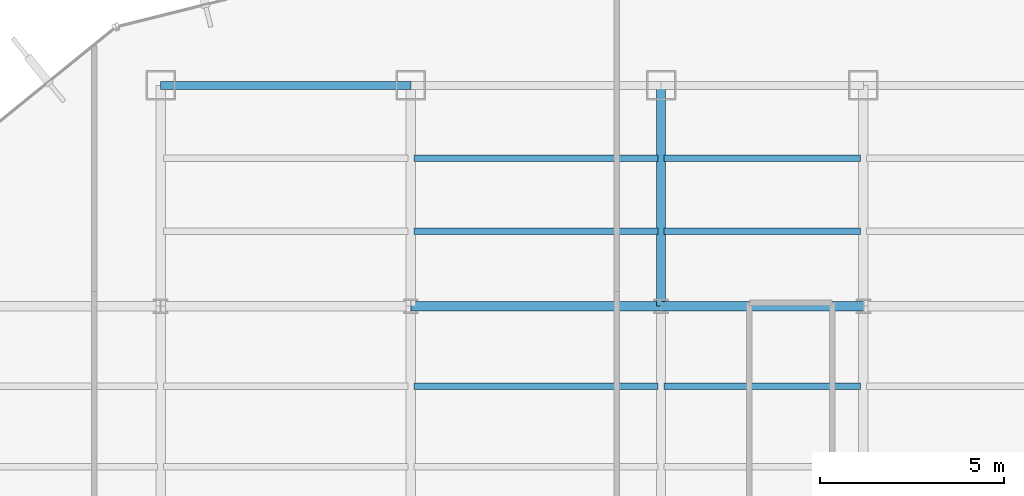
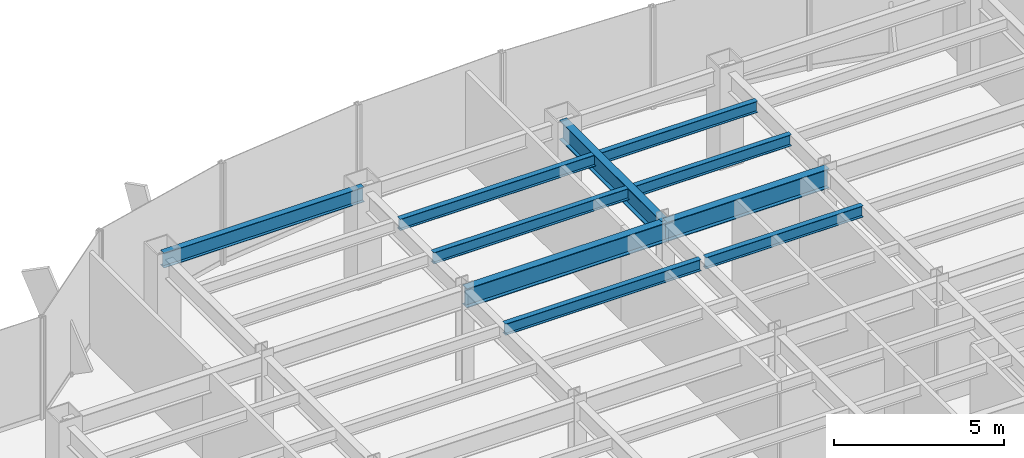
# One storey, part 15 of 26: 10 beams.
"""IFC4 building model written with IfcOpenShell, lengths in metres."""

from ifc_helpers import new_model, si_unit, derived_unit, direction, frame, origin, origin_2d, place, context, subcontext, project, spatial, i_section, extrude, source, transform, mapped, material, material_profile, profile_set, type_object, element, save


model = new_model("IFC4")

# Units and contexts
model_context = context("Model", 3, precision=1e-05, world=origin(), true_north=direction((0.0, 1.0)))
body_context = subcontext(model_context, "Body", "Model", "MODEL_VIEW")
ifc_project = project(units=[si_unit("LENGTHUNIT", "METRE"), si_unit("AREAUNIT", "SQUARE_METRE"), si_unit("VOLUMEUNIT", "CUBIC_METRE"), si_unit("PLANEANGLEUNIT", "RADIAN"), si_unit("MASSUNIT", "GRAM", prefix="KILO"), derived_unit("THERMALTRANSMITTANCEUNIT", [(si_unit("POWERUNIT", "WATT"), 1), (si_unit("LENGTHUNIT", "METRE"), -2), (si_unit("THERMODYNAMICTEMPERATUREUNIT", "KELVIN"), -1)])], contexts=[model_context])

# Site, building, storey
site_placement = place(None, origin())
site = spatial("IfcSite", under=ifc_project, at=site_placement, CompositionType="ELEMENT")
building_placement = place(site_placement, origin())
building = spatial("IfcBuilding", under=site, at=building_placement, Name="Skarnbrae Concourse Arena and Tower", CompositionType="ELEMENT")
storey_placement = place(building_placement, frame((0.0, 0.0, 117.85009765625)))
storey = spatial("IfcBuildingStorey", under=building, at=storey_placement, Name="L29", CompositionType="ELEMENT", Elevation=117.85009765625)

# Beams
ifc_material = material(Name="Steel CSA G40.21 350W", Category="steel")
ifc_material_profile_1 = material_profile(ifc_material, i_section(OverallWidth=0.256103515625, OverallDepth=0.693115234375, WebThickness=0.014404296875, FlangeThickness=0.023681640625, at=origin_2d()), Name="W690X170")
ifc_profile_set_1 = profile_set([ifc_material_profile_1], Name="Steel CSA G40.21 350W")
beam_type_1 = type_object("IfcBeamType", Name="BM-GIRD-W690X170", PredefinedType="BEAM", material=ifc_profile_set_1)
shared_shape_1 = source(origin(), body_context, "Body", "SweptSolid", [
    extrude(i_section(OverallWidth=0.256103515625, OverallDepth=0.693115234375, WebThickness=0.014404296875, FlangeThickness=0.023681640625, at=origin_2d()), origin(), (0.0, 0.0, 1.0), 6.800048828125),
])
beam_1_placement = place(storey_placement, frame((21.199951171875, 34.39990234375, 3.053466796875), z_axis=(1.0, 0.0, 0.0), x_axis=(0.0, 1.0, 0.0)))
element("IfcBeam", 1, at=beam_1_placement, inside=storey, type_object=beam_type_1, Name="L29 Primary E-W girder Y34.4-3", PredefinedType="BEAM", context=body_context, shape_type="MappedRepresentation", body=[
    mapped(shared_shape_1, transform((0.0, 0.0, 0.0))),
])
shared_shape_2 = source(origin(), body_context, "Body", "SweptSolid", [
    extrude(i_section(OverallWidth=0.256103515625, OverallDepth=0.693115234375, WebThickness=0.014404296875, FlangeThickness=0.023681640625, at=origin_2d()), origin(), (0.0, 0.0, 1.0), 5.5),
])
beam_2_placement = place(storey_placement, frame((28.0, 34.39990234375, 3.053466796875), z_axis=(1.0, 0.0, 0.0), x_axis=(0.0, 1.0, 0.0)))
element("IfcBeam", 2, at=beam_2_placement, inside=storey, type_object=beam_type_1, Name="L29 Primary E-W girder Y34.4-4", PredefinedType="BEAM", context=body_context, shape_type="MappedRepresentation", body=[
    mapped(shared_shape_2, transform((0.0, 0.0, 0.0))),
])
ifc_material_profile_2 = material_profile(ifc_material, i_section(OverallWidth=0.208984375, OverallDepth=0.532958984375, WebThickness=0.01025390625, FlangeThickness=0.015625, at=origin_2d()), Name="W530X92")
ifc_profile_set_2 = profile_set([ifc_material_profile_2], Name="Steel CSA G40.21 350W")
beam_type_2 = type_object("IfcBeamType", Name="BM-SPAN-W530X92", PredefinedType="SPANDREL", material=ifc_profile_set_2)
shared_shape_3 = source(origin(), body_context, "Body", "SweptSolid", [
    extrude(i_section(OverallWidth=0.208984375, OverallDepth=0.532958984375, WebThickness=0.01025390625, FlangeThickness=0.015625, at=origin_2d()), origin(), (0.0, 0.0, 1.0), 6.800048828125),
])
beam_3_placement = place(storey_placement, frame((14.39990234375, 40.39990234375, 3.13330078125), z_axis=(1.0, 0.0, 0.0), x_axis=(0.0, 1.0, 0.0)))
element("IfcBeam", 3, at=beam_3_placement, inside=storey, type_object=beam_type_2, Name="L29 Perimeter spandrel Y40.4-1", PredefinedType="SPANDREL", context=body_context, shape_type="MappedRepresentation", body=[
    mapped(shared_shape_3, transform((0.0, 0.0, 0.0))),
])
shared_shape_4 = source(origin(), body_context, "Body", "SweptSolid", [
    extrude(i_section(OverallWidth=0.256103515625, OverallDepth=0.693115234375, WebThickness=0.014404296875, FlangeThickness=0.023681640625, at=origin_2d()), origin(), (0.0, 0.0, 1.0), 6.0),
])
beam_4_placement = place(storey_placement, frame((28.0, 34.39990234375, 3.053466796875), z_axis=(0.0, 1.0, 0.0), x_axis=(-1.0, 0.0, 0.0)))
element("IfcBeam", 4, at=beam_4_placement, inside=storey, type_object=beam_type_1, Name="L29 Primary N-S girder X28.0-4", PredefinedType="BEAM", context=body_context, shape_type="MappedRepresentation", body=[
    mapped(shared_shape_4, transform((0.0, 0.0, 0.0))),
])
ifc_material_profile_3 = material_profile(ifc_material, i_section(OverallWidth=0.177978515625, OverallDepth=0.406982421875, WebThickness=0.0078125, FlangeThickness=0.0126953125, at=origin_2d()), Name="W410X60")
ifc_profile_set_3 = profile_set([ifc_material_profile_3], Name="Steel CSA G40.21 350W")
beam_type_3 = type_object("IfcBeamType", Name="BM-JOIST-W410X60", PredefinedType="JOIST", material=ifc_profile_set_3)
shared_shape_5 = source(origin(), body_context, "Body", "SweptSolid", [
    extrude(i_section(OverallWidth=0.177978515625, OverallDepth=0.406982421875, WebThickness=0.0078125, FlangeThickness=0.0126953125, at=origin_2d()), origin(), (0.0, 0.0, 1.0), 6.639892578125),
])
for number, where, z_axis, x_axis, name in (
    (5, (21.280029296875, 32.221923828125, 3.1962890625), (1.0, 0.0, 0.0), (0.0, 1.0, 0.0), "L29 Secondary floor joist 3.2.3"),
    (6, (21.280029296875, 36.43994140625, 3.1962890625), (1.0, 0.0, 0.0), (0.0, 1.0, 0.0), "L29 Secondary floor joist 4.1.2"),
    (7, (21.280029296875, 38.419921875, 3.1962890625), (1.0, 0.0, 0.0), (0.0, 1.0, 0.0), "L29 Secondary floor joist 4.2.2"),
):
    element("IfcBeam", number, at=place(storey_placement, frame(where, z_axis=z_axis, x_axis=x_axis)), inside=storey, type_object=beam_type_3, Name=name, PredefinedType="JOIST", context=body_context, shape_type="MappedRepresentation", body=[
        mapped(shared_shape_5, transform((0.0, 0.0, 0.0))),
    ])
shared_shape_6 = source(origin(), body_context, "Body", "SweptSolid", [
    extrude(i_section(OverallWidth=0.177978515625, OverallDepth=0.406982421875, WebThickness=0.0078125, FlangeThickness=0.0126953125, at=origin_2d()), origin(), (0.0, 0.0, 1.0), 5.33984375),
])
for number, where, z_axis, x_axis, name in (
    (8, (28.080078125, 32.221923828125, 3.1962890625), (1.0, 0.0, 0.0), (0.0, 1.0, 0.0), "L29 Secondary floor joist 3.2.4"),
    (9, (28.080078125, 36.43994140625, 3.1962890625), (1.0, 0.0, 0.0), (0.0, 1.0, 0.0), "L29 Secondary floor joist 4.1.3"),
    (10, (28.080078125, 38.419921875, 3.1962890625), (1.0, 0.0, 0.0), (0.0, 1.0, 0.0), "L29 Secondary floor joist 4.2.3"),
):
    element("IfcBeam", number, at=place(storey_placement, frame(where, z_axis=z_axis, x_axis=x_axis)), inside=storey, type_object=beam_type_3, Name=name, PredefinedType="JOIST", context=body_context, shape_type="MappedRepresentation", body=[
        mapped(shared_shape_6, transform((0.0, 0.0, 0.0))),
    ])

save(model, "model.ifc")
